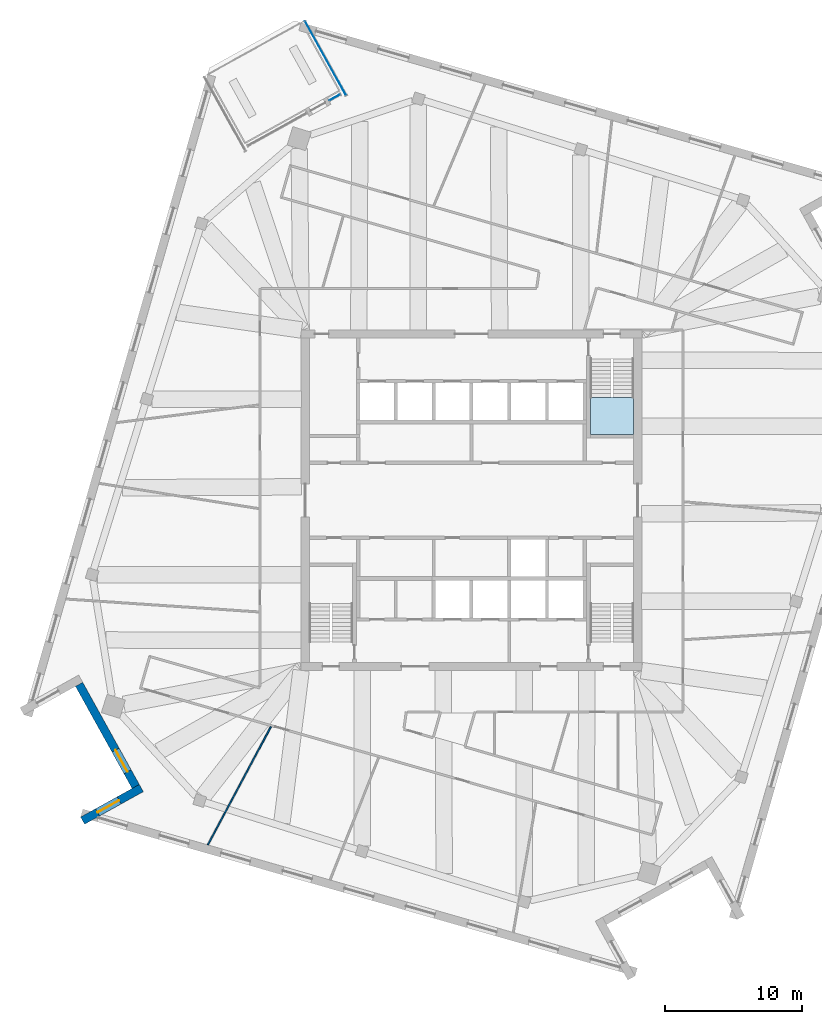
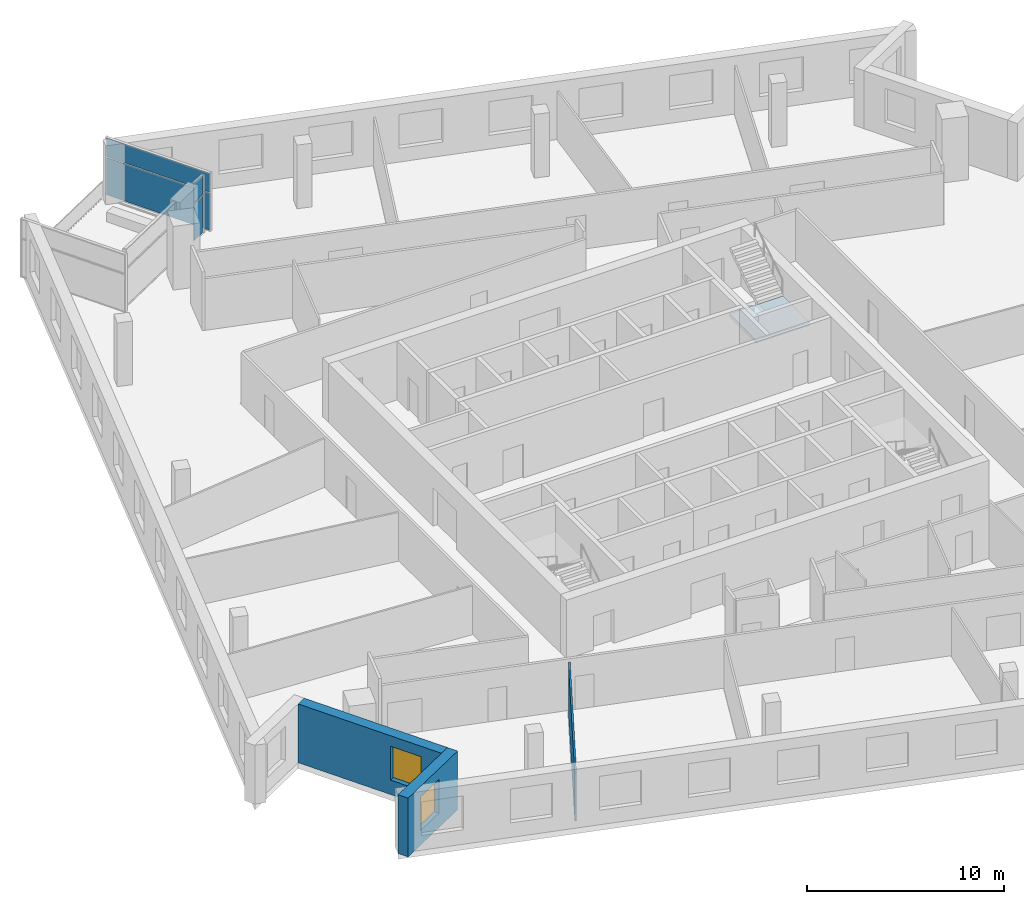
# One storey, part 6 of 15: 4 plates, 3 walls, 2 windows, 1 slab, 2 openings, 3 elements without a shape of their own.
"""IFC4 building model written with IfcOpenShell, lengths in metres."""

from ifc_helpers import new_model, si_unit, direction, frame, frame_2d, origin, origin_2d, place, context, subcontext, project, spatial, polyline, rectangle, outline, extrude, material, layer, layer_set, type_object, element, fill, aggregate, save


model = new_model("IFC4")

# Units and contexts
model_context = context("Model", 3, precision=1e-05, world=origin(), true_north=direction((0.0, 1.0)))
body_context = subcontext(model_context, "Body", "Model", "MODEL_VIEW")
ifc_project = project(units=[si_unit("LENGTHUNIT", "METRE"), si_unit("AREAUNIT", "SQUARE_METRE"), si_unit("VOLUMEUNIT", "CUBIC_METRE"), si_unit("PLANEANGLEUNIT", "RADIAN"), si_unit("MASSUNIT", "GRAM", prefix="KILO")], contexts=[model_context])

# Site, building, storey
site_placement = place(None, origin())
site = spatial("IfcSite", under=ifc_project, at=site_placement, CompositionType="ELEMENT")
building_placement = place(site_placement, origin())
building = spatial("IfcBuilding", under=site, at=building_placement, Name="Dilmun Exchange Tower", CompositionType="ELEMENT")
storey_placement = place(building_placement, frame((0.0, 0.0, 324.5)))
storey = spatial("IfcBuildingStorey", under=building, at=storey_placement, Name="L77", CompositionType="ELEMENT", Elevation=324.5)

# Stair, slab
ifc_material_1 = material(Name="Concrete C40/50", Category="concrete")
stair_type = type_object("IfcStairType", Name="Exit stair 1500 half-turn", PredefinedType="HALF_TURN_STAIR", material=ifc_material_1)
stair_placement = place(storey_placement, origin())
stair = element("IfcStair", 1, at=stair_placement, inside=storey, type_object=stair_type, Name="L77 Protected exit stair ST1", PredefinedType="HALF_TURN_STAIR")
ifc_layer_1 = layer(ifc_material_1, 0.199951171875)
ifc_layer_set_1 = layer_set([ifc_layer_1], Name="Concrete C40/50")
slab_type = type_object("IfcSlabType", Name="Exit stair landing 200", PredefinedType="LANDING", material=ifc_layer_set_1)
slab_placement = place(storey_placement, frame((0.0, 0.0, 1.800048828125)))
slab = element("IfcSlab", 2, at=slab_placement, type_object=slab_type, Name="ST1 landing 1", PredefinedType="LANDING", context=body_context, shape_type="SweptSolid", body=[
    extrude(outline(polyline([(8.64990234375, 7.5), (8.64990234375, 4.800048828125), (11.800048828125, 4.800048828125), (11.800048828125, 7.5), (8.64990234375, 7.5)])), origin(), (0.0, 0.0, 1.0), 0.199951171875),
])
aggregate(stair, [slab])

# Curtain wall, plates
ifc_material_2 = material(Name="Anodised aluminium and clear glass", Category="aluminium")
curtain_wall_type = type_object("IfcCurtainWallType", Name="Garden corner glazing", PredefinedType="NOTDEFINED", material=ifc_material_2)
curtain_wall_1_placement = place(storey_placement, origin())
curtain_wall_1 = element("IfcCurtainWall", 3, at=curtain_wall_1_placement, inside=storey, type_object=curtain_wall_type, Name="Garden corner glazing run GC1.1", PredefinedType="NOTDEFINED")
ifc_material_3 = material(Name="Clear glass", Category="glass")
ifc_layer_2 = layer(ifc_material_3, 0.028076171875)
ifc_layer_set_2 = layer_set([ifc_layer_2], Name="Clear glass")
plate_type = type_object("IfcPlateType", Name="Garden corner glazing glass panel 28", PredefinedType="CURTAIN_PANEL", material=ifc_layer_set_2)
plate_1_placement = place(storey_placement, frame((-10.621337890625, 32.177734375, 0.06005859375), z_axis=(0.0, 0.0, 1.0), x_axis=(0.484802683833, -0.87462355202, 0.0)))
plate_1 = element("IfcPlate", 4, at=plate_1_placement, type_object=plate_type, Name="GC1.1 panel 1.1", PredefinedType="CURTAIN_PANEL", context=body_context, shape_type="SweptSolid", body=[
    extrude(rectangle(XDim=6.12646484375, YDim=0.028076171875, at=origin_2d()), origin(), (0.0, 0.0, 1.0), 2.31005859375),
])
plate_2_placement = place(storey_placement, frame((-10.621337890625, 32.177734375, 2.43017578125), z_axis=(0.0, 0.0, 1.0), x_axis=(0.484802683833, -0.87462355202, 0.0)))
plate_2 = element("IfcPlate", 5, at=plate_2_placement, type_object=plate_type, Name="GC1.1 panel 1.2", PredefinedType="CURTAIN_PANEL", context=body_context, shape_type="SweptSolid", body=[
    extrude(rectangle(XDim=6.12646484375, YDim=0.028076171875, at=origin_2d()), origin(), (0.0, 0.0, 1.0), 1.159912109375),
])
aggregate(curtain_wall_1, [plate_1, plate_2])

curtain_wall_2_placement = place(storey_placement, origin())
curtain_wall_2 = element("IfcCurtainWall", 6, at=curtain_wall_2_placement, inside=storey, type_object=curtain_wall_type, Name="Garden corner glazing run GC2.1", PredefinedType="NOTDEFINED")
plate_3_placement = place(storey_placement, frame((-9.94775390625, 29.323486328125, 0.06005859375), z_axis=(0.0, 0.0, 1.0), x_axis=(-0.874633751058, -0.484784283481, 0.0)))
plate_3 = element("IfcPlate", 7, at=plate_3_placement, type_object=plate_type, Name="GC2.1 panel 1.1", PredefinedType="CURTAIN_PANEL", context=body_context, shape_type="SweptSolid", body=[
    extrude(rectangle(XDim=0.869140625, YDim=0.028076171875, at=origin_2d()), origin(), (0.0, 0.0, 1.0), 2.31005859375),
])
plate_4_placement = place(storey_placement, frame((-9.94775390625, 29.323486328125, 2.43017578125), z_axis=(0.0, 0.0, 1.0), x_axis=(-0.874633751058, -0.484784283481, 0.0)))
plate_4 = element("IfcPlate", 8, at=plate_4_placement, type_object=plate_type, Name="GC2.1 panel 1.2", PredefinedType="CURTAIN_PANEL", context=body_context, shape_type="SweptSolid", body=[
    extrude(rectangle(XDim=0.869140625, YDim=0.028076171875, at=origin_2d()), origin(), (0.0, 0.0, 1.0), 1.159912109375),
])
aggregate(curtain_wall_2, [plate_3, plate_4])

# Wall
ifc_material_4 = material(Name="Partition 100")
ifc_layer_3 = layer(ifc_material_4, 0.10009765625)
ifc_layer_set_3 = layer_set([ifc_layer_3], Name="Partition 100")
wall_type_1 = type_object("IfcWallType", Name="Partition 100", PredefinedType="PARTITIONING", material=ifc_layer_set_3)
wall_1_placement = place(storey_placement, frame((-19.18994140625, -25.080078125, 0.0), z_axis=(0.0, 0.0, 1.0), x_axis=(0.471201621995, 0.882025527652, 0.0)))
element("IfcWall", 9, at=wall_1_placement, inside=storey, type_object=wall_type_1, Name="Partition", PredefinedType="PARTITIONING", context=body_context, shape_type="SweptSolid", body=[
    extrude(rectangle(XDim=9.7490234375, YDim=0.10009765625, at=frame_2d((4.87451171875, 0.0))), origin(), (0.0, 0.0, 1.0), 3.050048828125),
])

# Wall, opening, window
ifc_material_5 = material(Name="Precast concrete C50/60", Category="concrete")
ifc_layer_4 = layer(ifc_material_5, 0.60009765625)
ifc_layer_set_4 = layer_set([ifc_layer_4], Name="Precast concrete C50/60")
wall_type_2 = type_object("IfcWallType", Name="Precast stone-clad wall 600", PredefinedType="STANDARD", material=ifc_layer_set_4)
wall_2_placement = place(storey_placement, frame((-28.555908203125, -13.39501953125, 0.0), z_axis=(0.0, 0.0, 1.0), x_axis=(0.48481597855, -0.874616182644, 0.0)))
wall_2 = element("IfcWall", 10, at=wall_2_placement, inside=storey, type_object=wall_type_2, Name="Facade wall L77-05", PredefinedType="STANDARD", context=body_context, shape_type="SweptSolid", body=[
    extrude(rectangle(XDim=8.499755859375, YDim=0.60009765625, at=frame_2d((4.25, 0.0))), origin(), (0.0, 0.0, 1.0), 3.64990234375),
])
opening_1_placement = place(wall_2_placement, frame((5.47509765625, 0.0, 0.89990234375)))
opening_1 = element("IfcOpeningElement", 11, at=opening_1_placement, cuts=wall_2, Name="Opening W180-210", PredefinedType="OPENING", context=body_context, shape_type="SweptSolid", body=[
    extrude(rectangle(XDim=1.800048828125, YDim=2.10009765625, at=frame_2d((0.89990234375, 1.050048828125))), frame((0.0, 0.31005859375, 0.0), z_axis=(0.0, -1.0, 0.0), x_axis=(1.0, 0.0, 0.0)), (0.0, 0.0, 1.0), 0.6201171875),
])
ifc_material_6 = material(Name="Clear low-emissivity glass in aluminium frame", Category="aluminium")
window_type = type_object("IfcWindowType", Name="Punched window 1800 x 2100", PartitioningType="DOUBLE_PANEL_VERTICAL", PredefinedType="WINDOW", material=ifc_material_6)
window_1_placement = place(opening_1_placement, origin())
window_1 = element("IfcWindow", 12, at=window_1_placement, inside=storey, type_object=window_type, Name="Window 6.2", OverallHeight=2.10009765625, OverallWidth=1.800048828125, PartitioningType="SINGLE_PANEL", PredefinedType="WINDOW", context=body_context, shape_type="SweptSolid", body=[
    extrude(rectangle(XDim=1.800048828125, YDim=2.10009765625, at=frame_2d((0.89990234375, 1.050048828125))), frame((0.0, 0.030029296875, 0.0), z_axis=(0.0, -1.0, 0.0), x_axis=(1.0, 0.0, 0.0)), (0.0, 0.0, 1.0), 0.06005859375),
])
fill(opening_1, window_1)

wall_3_placement = place(storey_placement, frame((-24.027099609375, -20.9462890625, 0.0), z_axis=(0.0, 0.0, 1.0), x_axis=(-0.874642406439, -0.484768667364, 0.0)))
wall_3 = element("IfcWall", 13, at=wall_3_placement, inside=storey, type_object=wall_type_2, Name="Facade wall L77-06", PredefinedType="STANDARD", context=body_context, shape_type="SweptSolid", body=[
    extrude(rectangle(XDim=4.8857421875, YDim=0.60009765625, at=frame_2d((2.44287109375, 0.0))), origin(), (0.0, 0.0, 1.0), 3.64990234375),
])
opening_2_placement = place(wall_3_placement, frame((1.8427734375, 0.0, 0.89990234375)))
opening_2 = element("IfcOpeningElement", 14, at=opening_2_placement, cuts=wall_3, Name="Opening W180-210", PredefinedType="OPENING", context=body_context, shape_type="SweptSolid", body=[
    extrude(rectangle(XDim=1.800048828125, YDim=2.10009765625, at=frame_2d((0.89990234375, 1.050048828125))), frame((0.0, 0.31005859375, 0.0), z_axis=(0.0, -1.0, 0.0), x_axis=(1.0, 0.0, 0.0)), (0.0, 0.0, 1.0), 0.6201171875),
])
window_2_placement = place(opening_2_placement, origin())
window_2 = element("IfcWindow", 15, at=window_2_placement, inside=storey, type_object=window_type, Name="Window 7.1", OverallHeight=2.10009765625, OverallWidth=1.800048828125, PartitioningType="SINGLE_PANEL", PredefinedType="WINDOW", context=body_context, shape_type="SweptSolid", body=[
    extrude(rectangle(XDim=1.800048828125, YDim=2.10009765625, at=frame_2d((0.89990234375, 1.050048828125))), frame((0.0, 0.030029296875, 0.0), z_axis=(0.0, -1.0, 0.0), x_axis=(1.0, 0.0, 0.0)), (0.0, 0.0, 1.0), 0.06005859375),
])
fill(opening_2, window_2)

save(model, "model.ifc")
